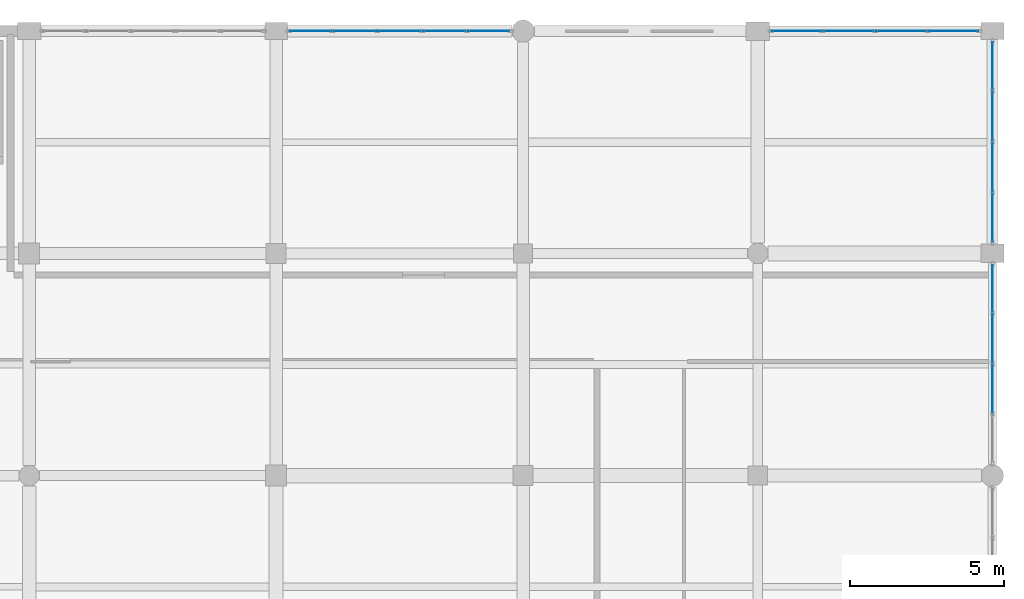
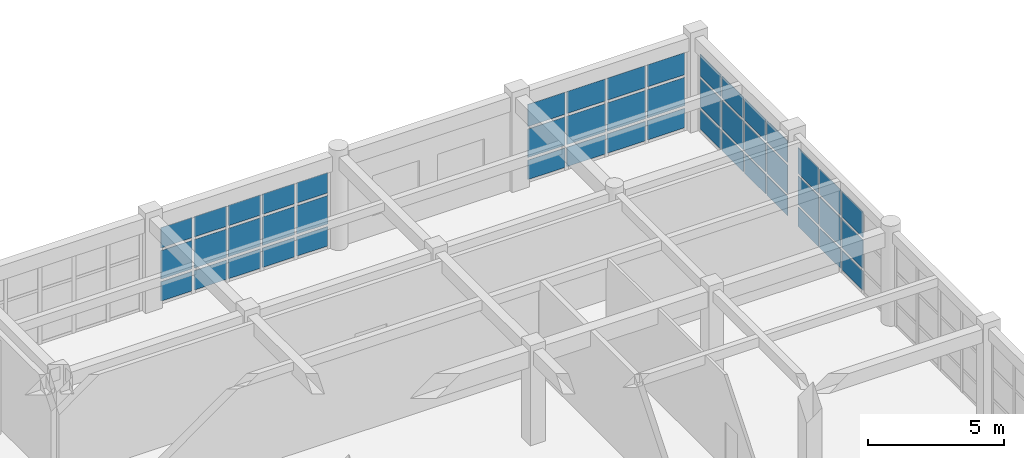
# One storey, part 121 of 160: 48 plates, 4 elements without a shape of their own.
"""IFC4 building model written with IfcOpenShell, lengths in metres."""

from ifc_helpers import new_model, si_unit, direction, frame, origin, origin_2d, place, context, subcontext, project, spatial, rectangle, extrude, material, layer, layer_set, type_object, element, aggregate, save


model = new_model("IFC4")

# Units and contexts
model_context = context("Model", 3, precision=1e-05, world=origin(), true_north=direction((0.0, 1.0)))
body_context = subcontext(model_context, "Body", "Model", "MODEL_VIEW")
ifc_project = project(units=[si_unit("LENGTHUNIT", "METRE"), si_unit("AREAUNIT", "SQUARE_METRE"), si_unit("VOLUMEUNIT", "CUBIC_METRE"), si_unit("PLANEANGLEUNIT", "RADIAN"), si_unit("MASSUNIT", "GRAM", prefix="KILO")], contexts=[model_context])

# Site, building, storey
site_placement = place(None, origin())
site = spatial("IfcSite", under=ifc_project, at=site_placement, CompositionType="ELEMENT")
building_placement = place(site_placement, origin())
building = spatial("IfcBuilding", under=site, at=building_placement, Name="Kharva Crest Polytechnic", CompositionType="ELEMENT")
storey_placement = place(building_placement, frame((0.0, 0.0, 4.5)))
storey = spatial("IfcBuildingStorey", under=building, at=storey_placement, Name="L01", CompositionType="ELEMENT", Elevation=4.5)

# Curtain wall, plates
ifc_material = material(Name="Tempered insulated glass", Category="glass")
curtain_wall_type = type_object("IfcCurtainWallType", Name="CW-SYS-COURT", PredefinedType="USERDEFINED", material=ifc_material)
curtain_wall_1_placement = place(storey_placement, origin())
curtain_wall_1 = element("IfcCurtainWall", 1, at=curtain_wall_1_placement, inside=storey, type_object=curtain_wall_type, Name="L01 Glazed Curtain Wall CW-066", ObjectType="CURTAIN WALL", PredefinedType="USERDEFINED")
ifc_layer = layer(ifc_material, 0.02392578125, Name="Tempered insulated glass")
ifc_layer_set = layer_set([ifc_layer], Name="Tempered insulated glass")
plate_type = type_object("IfcPlateType", Name="CWP-GLZ-24", PredefinedType="CURTAIN_PANEL", material=ifc_layer_set)
plate_1_placement = place(storey_placement, frame((184.0, 110.413818359375, 0.119873046875), z_axis=(0.0, 0.0, 1.0), x_axis=(0.0, 1.0, 0.0)))
plate_1 = element("IfcPlate", 2, at=plate_1_placement, type_object=plate_type, Name="CW-066 panel 2.1", PredefinedType="CURTAIN_PANEL", context=body_context, shape_type="SweptSolid", body=[
    extrude(rectangle(XDim=1.552490234375, YDim=0.02392578125, at=origin_2d()), origin(), (0.0, 0.0, 1.0), 0.8701171875),
])
plate_2_placement = place(storey_placement, frame((184.0, 110.413818359375, 1.10986328125), z_axis=(0.0, 0.0, 1.0), x_axis=(0.0, 1.0, 0.0)))
plate_2 = element("IfcPlate", 3, at=plate_2_placement, type_object=plate_type, Name="CW-066 panel 2.2", PredefinedType="CURTAIN_PANEL", context=body_context, shape_type="SweptSolid", body=[
    extrude(rectangle(XDim=1.552490234375, YDim=0.02392578125, at=origin_2d()), origin(), (0.0, 0.0, 1.0), 1.280029296875),
])
plate_3_placement = place(storey_placement, frame((184.0, 110.413818359375, 2.510009765625), z_axis=(0.0, 0.0, 1.0), x_axis=(0.0, 1.0, 0.0)))
plate_3 = element("IfcPlate", 4, at=plate_3_placement, type_object=plate_type, Name="CW-066 panel 2.3", PredefinedType="CURTAIN_PANEL", context=body_context, shape_type="SweptSolid", body=[
    extrude(rectangle(XDim=1.552490234375, YDim=0.02392578125, at=origin_2d()), origin(), (0.0, 0.0, 1.0), 1.14990234375),
])
plate_4_placement = place(storey_placement, frame((184.0, 112.046142578125, 0.119873046875), z_axis=(0.0, 0.0, 1.0), x_axis=(0.0, 1.0, 0.0)))
plate_4 = element("IfcPlate", 5, at=plate_4_placement, type_object=plate_type, Name="CW-066 panel 3.1", PredefinedType="CURTAIN_PANEL", context=body_context, shape_type="SweptSolid", body=[
    extrude(rectangle(XDim=1.552490234375, YDim=0.02392578125, at=origin_2d()), origin(), (0.0, 0.0, 1.0), 0.8701171875),
])
plate_5_placement = place(storey_placement, frame((184.0, 112.046142578125, 1.10986328125), z_axis=(0.0, 0.0, 1.0), x_axis=(0.0, 1.0, 0.0)))
plate_5 = element("IfcPlate", 6, at=plate_5_placement, type_object=plate_type, Name="CW-066 panel 3.2", PredefinedType="CURTAIN_PANEL", context=body_context, shape_type="SweptSolid", body=[
    extrude(rectangle(XDim=1.552490234375, YDim=0.02392578125, at=origin_2d()), origin(), (0.0, 0.0, 1.0), 1.280029296875),
])
plate_6_placement = place(storey_placement, frame((184.0, 112.046142578125, 2.510009765625), z_axis=(0.0, 0.0, 1.0), x_axis=(0.0, 1.0, 0.0)))
plate_6 = element("IfcPlate", 7, at=plate_6_placement, type_object=plate_type, Name="CW-066 panel 3.3", PredefinedType="CURTAIN_PANEL", context=body_context, shape_type="SweptSolid", body=[
    extrude(rectangle(XDim=1.552490234375, YDim=0.02392578125, at=origin_2d()), origin(), (0.0, 0.0, 1.0), 1.14990234375),
])
plate_7_placement = place(storey_placement, frame((184.0, 113.65869140625, 0.119873046875), z_axis=(0.0, 0.0, 1.0), x_axis=(0.0, 1.0, 0.0)))
plate_7 = element("IfcPlate", 8, at=plate_7_placement, type_object=plate_type, Name="CW-066 panel 4.1", PredefinedType="CURTAIN_PANEL", context=body_context, shape_type="SweptSolid", body=[
    extrude(rectangle(XDim=1.512451171875, YDim=0.02392578125, at=origin_2d()), origin(), (0.0, 0.0, 1.0), 0.8701171875),
])
plate_8_placement = place(storey_placement, frame((184.0, 113.65869140625, 1.10986328125), z_axis=(0.0, 0.0, 1.0), x_axis=(0.0, 1.0, 0.0)))
plate_8 = element("IfcPlate", 9, at=plate_8_placement, type_object=plate_type, Name="CW-066 panel 4.2", PredefinedType="CURTAIN_PANEL", context=body_context, shape_type="SweptSolid", body=[
    extrude(rectangle(XDim=1.512451171875, YDim=0.02392578125, at=origin_2d()), origin(), (0.0, 0.0, 1.0), 1.280029296875),
])
plate_9_placement = place(storey_placement, frame((184.0, 113.65869140625, 2.510009765625), z_axis=(0.0, 0.0, 1.0), x_axis=(0.0, 1.0, 0.0)))
plate_9 = element("IfcPlate", 10, at=plate_9_placement, type_object=plate_type, Name="CW-066 panel 4.3", PredefinedType="CURTAIN_PANEL", context=body_context, shape_type="SweptSolid", body=[
    extrude(rectangle(XDim=1.512451171875, YDim=0.02392578125, at=origin_2d()), origin(), (0.0, 0.0, 1.0), 1.14990234375),
])
aggregate(curtain_wall_1, [plate_1, plate_2, plate_3, plate_4, plate_5, plate_6, plate_7, plate_8, plate_9])

curtain_wall_2_placement = place(storey_placement, origin())
curtain_wall_2 = element("IfcCurtainWall", 11, at=curtain_wall_2_placement, inside=storey, type_object=curtain_wall_type, Name="L01 Glazed Curtain Wall CW-067", ObjectType="CURTAIN WALL", PredefinedType="USERDEFINED")
plate_10_placement = place(storey_placement, frame((184.0, 115.951904296875, 0.119873046875), z_axis=(0.0, 0.0, 1.0), x_axis=(0.0, 1.0, 0.0)))
plate_10 = element("IfcPlate", 12, at=plate_10_placement, type_object=plate_type, Name="CW-067 panel 1.1", PredefinedType="CURTAIN_PANEL", context=body_context, shape_type="SweptSolid", body=[
    extrude(rectangle(XDim=1.53369140625, YDim=0.02392578125, at=origin_2d()), origin(), (0.0, 0.0, 1.0), 0.8701171875),
])
plate_11_placement = place(storey_placement, frame((184.0, 115.951904296875, 1.10986328125), z_axis=(0.0, 0.0, 1.0), x_axis=(0.0, 1.0, 0.0)))
plate_11 = element("IfcPlate", 13, at=plate_11_placement, type_object=plate_type, Name="CW-067 panel 1.2", PredefinedType="CURTAIN_PANEL", context=body_context, shape_type="SweptSolid", body=[
    extrude(rectangle(XDim=1.53369140625, YDim=0.02392578125, at=origin_2d()), origin(), (0.0, 0.0, 1.0), 1.280029296875),
])
plate_12_placement = place(storey_placement, frame((184.0, 115.951904296875, 2.51025390625), z_axis=(0.0, 0.0, 1.0), x_axis=(0.0, 1.0, 0.0)))
plate_12 = element("IfcPlate", 14, at=plate_12_placement, type_object=plate_type, Name="CW-067 panel 1.3", PredefinedType="CURTAIN_PANEL", context=body_context, shape_type="SweptSolid", body=[
    extrude(rectangle(XDim=1.53369140625, YDim=0.02392578125, at=origin_2d()), origin(), (0.0, 0.0, 1.0), 0.969970703125),
])
plate_13_placement = place(storey_placement, frame((184.0, 117.585693359375, 0.119873046875), z_axis=(0.0, 0.0, 1.0), x_axis=(0.0, 1.0, 0.0)))
plate_13 = element("IfcPlate", 15, at=plate_13_placement, type_object=plate_type, Name="CW-067 panel 2.1", PredefinedType="CURTAIN_PANEL", context=body_context, shape_type="SweptSolid", body=[
    extrude(rectangle(XDim=1.57373046875, YDim=0.02392578125, at=origin_2d()), origin(), (0.0, 0.0, 1.0), 0.8701171875),
])
plate_14_placement = place(storey_placement, frame((184.0, 117.585693359375, 1.10986328125), z_axis=(0.0, 0.0, 1.0), x_axis=(0.0, 1.0, 0.0)))
plate_14 = element("IfcPlate", 16, at=plate_14_placement, type_object=plate_type, Name="CW-067 panel 2.2", PredefinedType="CURTAIN_PANEL", context=body_context, shape_type="SweptSolid", body=[
    extrude(rectangle(XDim=1.57373046875, YDim=0.02392578125, at=origin_2d()), origin(), (0.0, 0.0, 1.0), 1.280029296875),
])
plate_15_placement = place(storey_placement, frame((184.0, 117.585693359375, 2.51025390625), z_axis=(0.0, 0.0, 1.0), x_axis=(0.0, 1.0, 0.0)))
plate_15 = element("IfcPlate", 17, at=plate_15_placement, type_object=plate_type, Name="CW-067 panel 2.3", PredefinedType="CURTAIN_PANEL", context=body_context, shape_type="SweptSolid", body=[
    extrude(rectangle(XDim=1.57373046875, YDim=0.02392578125, at=origin_2d()), origin(), (0.0, 0.0, 1.0), 0.969970703125),
])
plate_16_placement = place(storey_placement, frame((184.0, 119.2392578125, 0.119873046875), z_axis=(0.0, 0.0, 1.0), x_axis=(0.0, 1.0, 0.0)))
plate_16 = element("IfcPlate", 18, at=plate_16_placement, type_object=plate_type, Name="CW-067 panel 3.1", PredefinedType="CURTAIN_PANEL", context=body_context, shape_type="SweptSolid", body=[
    extrude(rectangle(XDim=1.57373046875, YDim=0.02392578125, at=origin_2d()), origin(), (0.0, 0.0, 1.0), 0.8701171875),
])
plate_17_placement = place(storey_placement, frame((184.0, 119.2392578125, 1.10986328125), z_axis=(0.0, 0.0, 1.0), x_axis=(0.0, 1.0, 0.0)))
plate_17 = element("IfcPlate", 19, at=plate_17_placement, type_object=plate_type, Name="CW-067 panel 3.2", PredefinedType="CURTAIN_PANEL", context=body_context, shape_type="SweptSolid", body=[
    extrude(rectangle(XDim=1.57373046875, YDim=0.02392578125, at=origin_2d()), origin(), (0.0, 0.0, 1.0), 1.280029296875),
])
plate_18_placement = place(storey_placement, frame((184.0, 119.2392578125, 2.51025390625), z_axis=(0.0, 0.0, 1.0), x_axis=(0.0, 1.0, 0.0)))
plate_18 = element("IfcPlate", 20, at=plate_18_placement, type_object=plate_type, Name="CW-067 panel 3.3", PredefinedType="CURTAIN_PANEL", context=body_context, shape_type="SweptSolid", body=[
    extrude(rectangle(XDim=1.57373046875, YDim=0.02392578125, at=origin_2d()), origin(), (0.0, 0.0, 1.0), 0.969970703125),
])
plate_19_placement = place(storey_placement, frame((184.0, 120.873046875, 0.119873046875), z_axis=(0.0, 0.0, 1.0), x_axis=(0.0, 1.0, 0.0)))
plate_19 = element("IfcPlate", 21, at=plate_19_placement, type_object=plate_type, Name="CW-067 panel 4.1", PredefinedType="CURTAIN_PANEL", context=body_context, shape_type="SweptSolid", body=[
    extrude(rectangle(XDim=1.53369140625, YDim=0.02392578125, at=origin_2d()), origin(), (0.0, 0.0, 1.0), 0.8701171875),
])
plate_20_placement = place(storey_placement, frame((184.0, 120.873046875, 1.10986328125), z_axis=(0.0, 0.0, 1.0), x_axis=(0.0, 1.0, 0.0)))
plate_20 = element("IfcPlate", 22, at=plate_20_placement, type_object=plate_type, Name="CW-067 panel 4.2", PredefinedType="CURTAIN_PANEL", context=body_context, shape_type="SweptSolid", body=[
    extrude(rectangle(XDim=1.53369140625, YDim=0.02392578125, at=origin_2d()), origin(), (0.0, 0.0, 1.0), 1.280029296875),
])
plate_21_placement = place(storey_placement, frame((184.0, 120.873046875, 2.51025390625), z_axis=(0.0, 0.0, 1.0), x_axis=(0.0, 1.0, 0.0)))
plate_21 = element("IfcPlate", 23, at=plate_21_placement, type_object=plate_type, Name="CW-067 panel 4.3", PredefinedType="CURTAIN_PANEL", context=body_context, shape_type="SweptSolid", body=[
    extrude(rectangle(XDim=1.53369140625, YDim=0.02392578125, at=origin_2d()), origin(), (0.0, 0.0, 1.0), 0.969970703125),
])
aggregate(curtain_wall_2, [plate_10, plate_11, plate_12, plate_13, plate_14, plate_15, plate_16, plate_17, plate_18, plate_19, plate_20, plate_21])

curtain_wall_3_placement = place(storey_placement, origin())
curtain_wall_3 = element("IfcCurtainWall", 24, at=curtain_wall_3_placement, inside=storey, type_object=curtain_wall_type, Name="L01 Glazed Curtain Wall CW-068", ObjectType="CURTAIN WALL", PredefinedType="USERDEFINED")
plate_22_placement = place(storey_placement, frame((182.7451171875, 122.0, 0.119873046875), z_axis=(0.0, 0.0, 1.0), x_axis=(-1.0, 0.0, 0.0)))
plate_22 = element("IfcPlate", 25, at=plate_22_placement, type_object=plate_type, Name="CW-068 panel 1.1", PredefinedType="CURTAIN_PANEL", context=body_context, shape_type="SweptSolid", body=[
    extrude(rectangle(XDim=1.590087890625, YDim=0.02392578125, at=origin_2d()), origin(), (0.0, 0.0, 1.0), 0.8701171875),
])
plate_23_placement = place(storey_placement, frame((182.7451171875, 122.0, 1.10986328125), z_axis=(0.0, 0.0, 1.0), x_axis=(-1.0, 0.0, 0.0)))
plate_23 = element("IfcPlate", 26, at=plate_23_placement, type_object=plate_type, Name="CW-068 panel 1.2", PredefinedType="CURTAIN_PANEL", context=body_context, shape_type="SweptSolid", body=[
    extrude(rectangle(XDim=1.590087890625, YDim=0.02392578125, at=origin_2d()), origin(), (0.0, 0.0, 1.0), 1.280029296875),
])
plate_24_placement = place(storey_placement, frame((182.7451171875, 122.0, 2.509765625), z_axis=(0.0, 0.0, 1.0), x_axis=(-1.0, 0.0, 0.0)))
plate_24 = element("IfcPlate", 27, at=plate_24_placement, type_object=plate_type, Name="CW-068 panel 1.3", PredefinedType="CURTAIN_PANEL", context=body_context, shape_type="SweptSolid", body=[
    extrude(rectangle(XDim=1.590087890625, YDim=0.02392578125, at=origin_2d()), origin(), (0.0, 0.0, 1.0), 0.989990234375),
])
plate_25_placement = place(storey_placement, frame((181.054931640625, 122.0, 0.119873046875), z_axis=(0.0, 0.0, 1.0), x_axis=(-1.0, 0.0, 0.0)))
plate_25 = element("IfcPlate", 28, at=plate_25_placement, type_object=plate_type, Name="CW-068 panel 2.1", PredefinedType="CURTAIN_PANEL", context=body_context, shape_type="SweptSolid", body=[
    extrude(rectangle(XDim=1.6298828125, YDim=0.02392578125, at=origin_2d()), origin(), (0.0, 0.0, 1.0), 0.8701171875),
])
plate_26_placement = place(storey_placement, frame((181.054931640625, 122.0, 1.10986328125), z_axis=(0.0, 0.0, 1.0), x_axis=(-1.0, 0.0, 0.0)))
plate_26 = element("IfcPlate", 29, at=plate_26_placement, type_object=plate_type, Name="CW-068 panel 2.2", PredefinedType="CURTAIN_PANEL", context=body_context, shape_type="SweptSolid", body=[
    extrude(rectangle(XDim=1.6298828125, YDim=0.02392578125, at=origin_2d()), origin(), (0.0, 0.0, 1.0), 1.280029296875),
])
plate_27_placement = place(storey_placement, frame((181.054931640625, 122.0, 2.509765625), z_axis=(0.0, 0.0, 1.0), x_axis=(-1.0, 0.0, 0.0)))
plate_27 = element("IfcPlate", 30, at=plate_27_placement, type_object=plate_type, Name="CW-068 panel 2.3", PredefinedType="CURTAIN_PANEL", context=body_context, shape_type="SweptSolid", body=[
    extrude(rectangle(XDim=1.6298828125, YDim=0.02392578125, at=origin_2d()), origin(), (0.0, 0.0, 1.0), 0.989990234375),
])
plate_28_placement = place(storey_placement, frame((179.344970703125, 122.0, 0.119873046875), z_axis=(0.0, 0.0, 1.0), x_axis=(-1.0, 0.0, 0.0)))
plate_28 = element("IfcPlate", 31, at=plate_28_placement, type_object=plate_type, Name="CW-068 panel 3.1", PredefinedType="CURTAIN_PANEL", context=body_context, shape_type="SweptSolid", body=[
    extrude(rectangle(XDim=1.6298828125, YDim=0.02392578125, at=origin_2d()), origin(), (0.0, 0.0, 1.0), 0.8701171875),
])
plate_29_placement = place(storey_placement, frame((179.344970703125, 122.0, 1.10986328125), z_axis=(0.0, 0.0, 1.0), x_axis=(-1.0, 0.0, 0.0)))
plate_29 = element("IfcPlate", 32, at=plate_29_placement, type_object=plate_type, Name="CW-068 panel 3.2", PredefinedType="CURTAIN_PANEL", context=body_context, shape_type="SweptSolid", body=[
    extrude(rectangle(XDim=1.6298828125, YDim=0.02392578125, at=origin_2d()), origin(), (0.0, 0.0, 1.0), 1.280029296875),
])
plate_30_placement = place(storey_placement, frame((179.344970703125, 122.0, 2.509765625), z_axis=(0.0, 0.0, 1.0), x_axis=(-1.0, 0.0, 0.0)))
plate_30 = element("IfcPlate", 33, at=plate_30_placement, type_object=plate_type, Name="CW-068 panel 3.3", PredefinedType="CURTAIN_PANEL", context=body_context, shape_type="SweptSolid", body=[
    extrude(rectangle(XDim=1.6298828125, YDim=0.02392578125, at=origin_2d()), origin(), (0.0, 0.0, 1.0), 0.989990234375),
])
plate_31_placement = place(storey_placement, frame((177.655029296875, 122.0, 0.119873046875), z_axis=(0.0, 0.0, 1.0), x_axis=(-1.0, 0.0, 0.0)))
plate_31 = element("IfcPlate", 34, at=plate_31_placement, type_object=plate_type, Name="CW-068 panel 4.1", PredefinedType="CURTAIN_PANEL", context=body_context, shape_type="SweptSolid", body=[
    extrude(rectangle(XDim=1.590087890625, YDim=0.02392578125, at=origin_2d()), origin(), (0.0, 0.0, 1.0), 0.8701171875),
])
plate_32_placement = place(storey_placement, frame((177.655029296875, 122.0, 1.10986328125), z_axis=(0.0, 0.0, 1.0), x_axis=(-1.0, 0.0, 0.0)))
plate_32 = element("IfcPlate", 35, at=plate_32_placement, type_object=plate_type, Name="CW-068 panel 4.2", PredefinedType="CURTAIN_PANEL", context=body_context, shape_type="SweptSolid", body=[
    extrude(rectangle(XDim=1.590087890625, YDim=0.02392578125, at=origin_2d()), origin(), (0.0, 0.0, 1.0), 1.280029296875),
])
plate_33_placement = place(storey_placement, frame((177.655029296875, 122.0, 2.509765625), z_axis=(0.0, 0.0, 1.0), x_axis=(-1.0, 0.0, 0.0)))
plate_33 = element("IfcPlate", 36, at=plate_33_placement, type_object=plate_type, Name="CW-068 panel 4.3", PredefinedType="CURTAIN_PANEL", context=body_context, shape_type="SweptSolid", body=[
    extrude(rectangle(XDim=1.590087890625, YDim=0.02392578125, at=origin_2d()), origin(), (0.0, 0.0, 1.0), 0.989990234375),
])
aggregate(curtain_wall_3, [plate_22, plate_23, plate_24, plate_25, plate_26, plate_27, plate_28, plate_29, plate_30, plate_31, plate_32, plate_33])

curtain_wall_4_placement = place(storey_placement, origin())
curtain_wall_4 = element("IfcCurtainWall", 37, at=curtain_wall_4_placement, inside=storey, type_object=curtain_wall_type, Name="L01 Glazed Curtain Wall CW-069", ObjectType="CURTAIN WALL", PredefinedType="USERDEFINED")
plate_34_placement = place(storey_placement, frame((167.68798828125, 122.0, 0.119873046875), z_axis=(0.0, 0.0, 1.0), x_axis=(-1.0, 0.0, 0.0)))
plate_34 = element("IfcPlate", 38, at=plate_34_placement, type_object=plate_type, Name="CW-069 panel 1.1", PredefinedType="CURTAIN_PANEL", context=body_context, shape_type="SweptSolid", body=[
    extrude(rectangle(XDim=1.333984375, YDim=0.02392578125, at=origin_2d()), origin(), (0.0, 0.0, 1.0), 0.8701171875),
])
plate_35_placement = place(storey_placement, frame((167.68798828125, 122.0, 1.10986328125), z_axis=(0.0, 0.0, 1.0), x_axis=(-1.0, 0.0, 0.0)))
plate_35 = element("IfcPlate", 39, at=plate_35_placement, type_object=plate_type, Name="CW-069 panel 1.2", PredefinedType="CURTAIN_PANEL", context=body_context, shape_type="SweptSolid", body=[
    extrude(rectangle(XDim=1.333984375, YDim=0.02392578125, at=origin_2d()), origin(), (0.0, 0.0, 1.0), 1.280029296875),
])
plate_36_placement = place(storey_placement, frame((167.68798828125, 122.0, 2.51025390625), z_axis=(0.0, 0.0, 1.0), x_axis=(-1.0, 0.0, 0.0)))
plate_36 = element("IfcPlate", 40, at=plate_36_placement, type_object=plate_type, Name="CW-069 panel 1.3", PredefinedType="CURTAIN_PANEL", context=body_context, shape_type="SweptSolid", body=[
    extrude(rectangle(XDim=1.333984375, YDim=0.02392578125, at=origin_2d()), origin(), (0.0, 0.0, 1.0), 0.909912109375),
])
plate_37_placement = place(storey_placement, frame((166.25390625, 122.0, 0.119873046875), z_axis=(0.0, 0.0, 1.0), x_axis=(-1.0, 0.0, 0.0)))
plate_37 = element("IfcPlate", 41, at=plate_37_placement, type_object=plate_type, Name="CW-069 panel 2.1", PredefinedType="CURTAIN_PANEL", context=body_context, shape_type="SweptSolid", body=[
    extrude(rectangle(XDim=1.3740234375, YDim=0.02392578125, at=origin_2d()), origin(), (0.0, 0.0, 1.0), 0.8701171875),
])
plate_38_placement = place(storey_placement, frame((166.25390625, 122.0, 1.10986328125), z_axis=(0.0, 0.0, 1.0), x_axis=(-1.0, 0.0, 0.0)))
plate_38 = element("IfcPlate", 42, at=plate_38_placement, type_object=plate_type, Name="CW-069 panel 2.2", PredefinedType="CURTAIN_PANEL", context=body_context, shape_type="SweptSolid", body=[
    extrude(rectangle(XDim=1.3740234375, YDim=0.02392578125, at=origin_2d()), origin(), (0.0, 0.0, 1.0), 1.280029296875),
])
plate_39_placement = place(storey_placement, frame((166.25390625, 122.0, 2.51025390625), z_axis=(0.0, 0.0, 1.0), x_axis=(-1.0, 0.0, 0.0)))
plate_39 = element("IfcPlate", 43, at=plate_39_placement, type_object=plate_type, Name="CW-069 panel 2.3", PredefinedType="CURTAIN_PANEL", context=body_context, shape_type="SweptSolid", body=[
    extrude(rectangle(XDim=1.3740234375, YDim=0.02392578125, at=origin_2d()), origin(), (0.0, 0.0, 1.0), 0.909912109375),
])
plate_40_placement = place(storey_placement, frame((164.800048828125, 122.0, 0.119873046875), z_axis=(0.0, 0.0, 1.0), x_axis=(-1.0, 0.0, 0.0)))
plate_40 = element("IfcPlate", 44, at=plate_40_placement, type_object=plate_type, Name="CW-069 panel 3.1", PredefinedType="CURTAIN_PANEL", context=body_context, shape_type="SweptSolid", body=[
    extrude(rectangle(XDim=1.3740234375, YDim=0.02392578125, at=origin_2d()), origin(), (0.0, 0.0, 1.0), 0.8701171875),
])
plate_41_placement = place(storey_placement, frame((164.800048828125, 122.0, 1.10986328125), z_axis=(0.0, 0.0, 1.0), x_axis=(-1.0, 0.0, 0.0)))
plate_41 = element("IfcPlate", 45, at=plate_41_placement, type_object=plate_type, Name="CW-069 panel 3.2", PredefinedType="CURTAIN_PANEL", context=body_context, shape_type="SweptSolid", body=[
    extrude(rectangle(XDim=1.3740234375, YDim=0.02392578125, at=origin_2d()), origin(), (0.0, 0.0, 1.0), 1.280029296875),
])
plate_42_placement = place(storey_placement, frame((164.800048828125, 122.0, 2.51025390625), z_axis=(0.0, 0.0, 1.0), x_axis=(-1.0, 0.0, 0.0)))
plate_42 = element("IfcPlate", 46, at=plate_42_placement, type_object=plate_type, Name="CW-069 panel 3.3", PredefinedType="CURTAIN_PANEL", context=body_context, shape_type="SweptSolid", body=[
    extrude(rectangle(XDim=1.3740234375, YDim=0.02392578125, at=origin_2d()), origin(), (0.0, 0.0, 1.0), 0.909912109375),
])
plate_43_placement = place(storey_placement, frame((163.345947265625, 122.0, 0.119873046875), z_axis=(0.0, 0.0, 1.0), x_axis=(-1.0, 0.0, 0.0)))
plate_43 = element("IfcPlate", 47, at=plate_43_placement, type_object=plate_type, Name="CW-069 panel 4.1", PredefinedType="CURTAIN_PANEL", context=body_context, shape_type="SweptSolid", body=[
    extrude(rectangle(XDim=1.3740234375, YDim=0.02392578125, at=origin_2d()), origin(), (0.0, 0.0, 1.0), 0.8701171875),
])
plate_44_placement = place(storey_placement, frame((163.345947265625, 122.0, 1.10986328125), z_axis=(0.0, 0.0, 1.0), x_axis=(-1.0, 0.0, 0.0)))
plate_44 = element("IfcPlate", 48, at=plate_44_placement, type_object=plate_type, Name="CW-069 panel 4.2", PredefinedType="CURTAIN_PANEL", context=body_context, shape_type="SweptSolid", body=[
    extrude(rectangle(XDim=1.3740234375, YDim=0.02392578125, at=origin_2d()), origin(), (0.0, 0.0, 1.0), 1.280029296875),
])
plate_45_placement = place(storey_placement, frame((163.345947265625, 122.0, 2.51025390625), z_axis=(0.0, 0.0, 1.0), x_axis=(-1.0, 0.0, 0.0)))
plate_45 = element("IfcPlate", 49, at=plate_45_placement, type_object=plate_type, Name="CW-069 panel 4.3", PredefinedType="CURTAIN_PANEL", context=body_context, shape_type="SweptSolid", body=[
    extrude(rectangle(XDim=1.3740234375, YDim=0.02392578125, at=origin_2d()), origin(), (0.0, 0.0, 1.0), 0.909912109375),
])
plate_46_placement = place(storey_placement, frame((161.912109375, 122.0, 0.119873046875), z_axis=(0.0, 0.0, 1.0), x_axis=(-1.0, 0.0, 0.0)))
plate_46 = element("IfcPlate", 50, at=plate_46_placement, type_object=plate_type, Name="CW-069 panel 5.1", PredefinedType="CURTAIN_PANEL", context=body_context, shape_type="SweptSolid", body=[
    extrude(rectangle(XDim=1.333984375, YDim=0.02392578125, at=origin_2d()), origin(), (0.0, 0.0, 1.0), 0.8701171875),
])
plate_47_placement = place(storey_placement, frame((161.912109375, 122.0, 1.10986328125), z_axis=(0.0, 0.0, 1.0), x_axis=(-1.0, 0.0, 0.0)))
plate_47 = element("IfcPlate", 51, at=plate_47_placement, type_object=plate_type, Name="CW-069 panel 5.2", PredefinedType="CURTAIN_PANEL", context=body_context, shape_type="SweptSolid", body=[
    extrude(rectangle(XDim=1.333984375, YDim=0.02392578125, at=origin_2d()), origin(), (0.0, 0.0, 1.0), 1.280029296875),
])
plate_48_placement = place(storey_placement, frame((161.912109375, 122.0, 2.51025390625), z_axis=(0.0, 0.0, 1.0), x_axis=(-1.0, 0.0, 0.0)))
plate_48 = element("IfcPlate", 52, at=plate_48_placement, type_object=plate_type, Name="CW-069 panel 5.3", PredefinedType="CURTAIN_PANEL", context=body_context, shape_type="SweptSolid", body=[
    extrude(rectangle(XDim=1.333984375, YDim=0.02392578125, at=origin_2d()), origin(), (0.0, 0.0, 1.0), 0.909912109375),
])
aggregate(curtain_wall_4, [plate_34, plate_35, plate_36, plate_37, plate_38, plate_39, plate_40, plate_41, plate_42, plate_43, plate_44, plate_45, plate_46, plate_47, plate_48])

save(model, "model.ifc")
